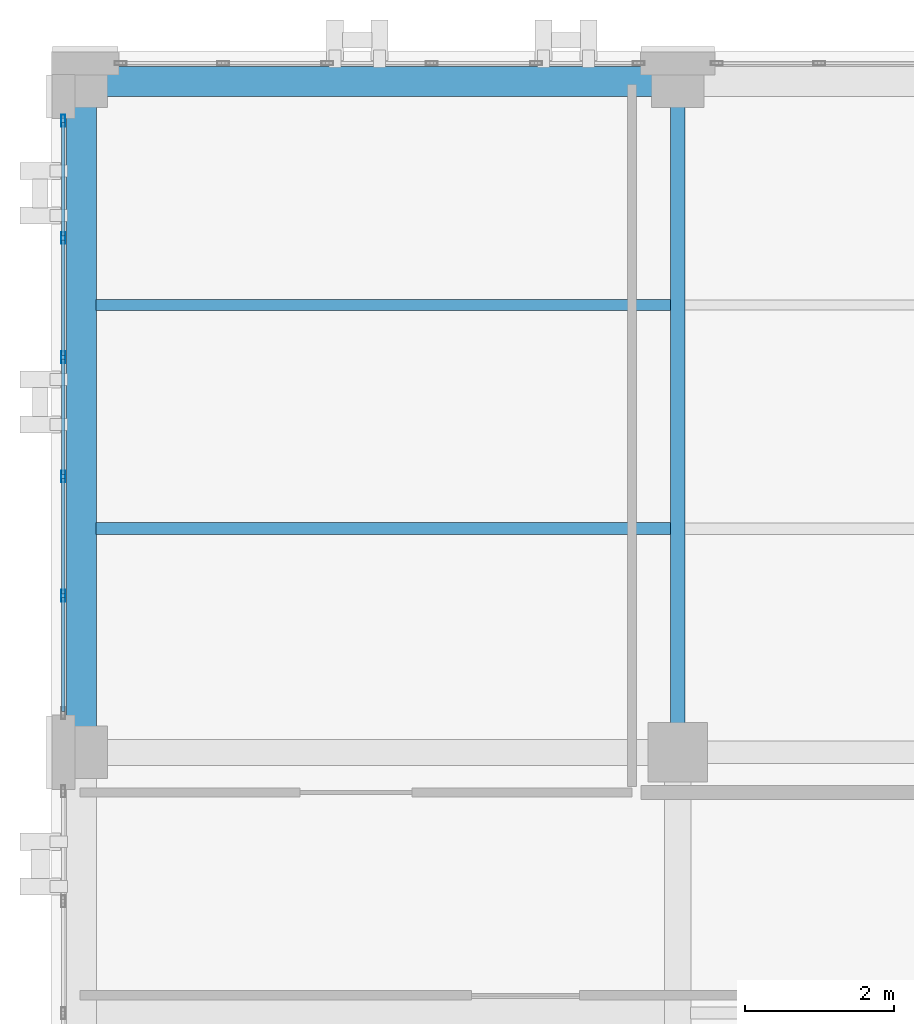
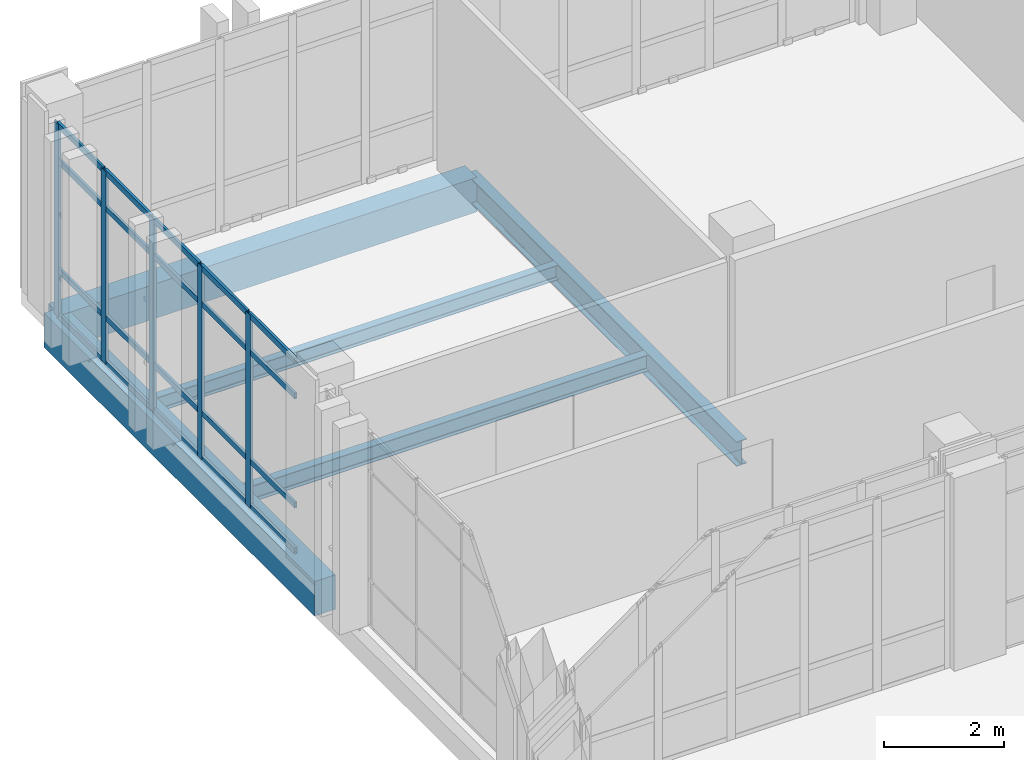
# One storey, part 91 of 193: 25 members, 5 beams, 1 element without a shape of its own.
"""IFC4 building model written with IfcOpenShell, lengths in metres."""

import ifcopenshell
import ifcopenshell.guid

model = None  # the IFC model being written
_history = None  # IfcOwnerHistory: only IFC2X3 demands one
_inside = {}  # id of a spatial element -> (the spatial element, [elements in it])
_under = {}  # id of a project, library or spatial element -> (it, [spatial elements below it])
_declared = {}  # id of a project -> (the project, [libraries it declares])
_typed = {}  # id of a type object -> (the type object, [elements of that type])
_made_of = {}  # id of a material, layer set ... -> (it, [elements and type objects made of it])


def new_model(schema):
    """Start an empty IFC model of exactly this schema.

    Asked for "IFC4X3", IfcOpenShell would pick the latest addendum, in which some entities
    have other attributes; the version numbers below select the first issue.
    IFC2X3 requires an IfcOwnerHistory on every rooted entity: one is made here for all.
    """
    global model, _history
    if schema == "IFC4X3":
        model = ifcopenshell.file(schema_version=(4, 3, 0, 0))
    else:
        model = ifcopenshell.file(schema=schema)
    _inside.clear()
    _under.clear()
    _declared.clear()
    _typed.clear()
    _made_of.clear()
    _history = None
    if model.schema == "IFC2X3":
        org = make("IfcOrganization", Name="unknown")
        user = make(
            "IfcPersonAndOrganization",
            ThePerson=make("IfcPerson", FamilyName="unknown"),
            TheOrganization=org,
        )
        app = make(
            "IfcApplication",
            ApplicationDeveloper=org,
            Version="unknown",
            ApplicationFullName="unknown",
            ApplicationIdentifier="unknown",
        )
        _history = make(
            "IfcOwnerHistory",
            OwningUser=user,
            OwningApplication=app,
            ChangeAction="ADDED",
            CreationDate=0,
        )
    return model


def make(cls, **values):
    """One entity of the class cls with the attributes given. An attribute that is None is left unset."""
    return model.create_entity(
        cls, **{name: value for name, value in values.items() if value is not None}
    )


def rooted(cls, **values):
    """An entity with a GlobalId (a new one), such as an element, a storey or a relation."""
    return make(cls, GlobalId=ifcopenshell.guid.new(), OwnerHistory=_history, **values)


def si_unit(unit_type, name, prefix=None):
    """IfcSIUnit, for example si_unit("LENGTHUNIT", "METRE", prefix="MILLI")."""
    return make("IfcSIUnit", UnitType=unit_type, Prefix=prefix, Name=name)


def assignment(units):
    """IfcUnitAssignment: the units of a project."""
    return None if units is None else make("IfcUnitAssignment", Units=units)


def point(xyz):
    """IfcCartesianPoint."""
    return None if xyz is None else make("IfcCartesianPoint", Coordinates=xyz)


def direction(xyz):
    """IfcDirection."""
    return None if xyz is None else make("IfcDirection", DirectionRatios=xyz)


def frame(location, z_axis=None, x_axis=None):
    """IfcAxis2Placement3D, a coordinate frame: its origin and axes. An axis left out is left unset."""
    return make(
        "IfcAxis2Placement3D",
        Location=point(location),
        Axis=direction(z_axis),
        RefDirection=direction(x_axis),
    )


def frame_2d(location, x_axis=None):
    """IfcAxis2Placement2D, a coordinate frame in the plane: its origin and x axis."""
    return make(
        "IfcAxis2Placement2D", Location=point(location), RefDirection=direction(x_axis)
    )


def origin():
    """The frame at (0, 0, 0) with its axes left unset."""
    return frame((0.0, 0.0, 0.0))


def origin_2d():
    """The frame at (0, 0) in the plane with its x axis left unset."""
    return frame_2d((0.0, 0.0))


def place(relative_to, where):
    """IfcLocalPlacement: puts the frame where relative to a parent placement (None: the world)."""
    return make(
        "IfcLocalPlacement", PlacementRelTo=relative_to, RelativePlacement=where
    )


def context(
    kind, dimensions, precision=None, world=None, true_north=None, identifier=None
):
    """IfcGeometricRepresentationContext, for example the 3D "Model" context."""
    return make(
        "IfcGeometricRepresentationContext",
        ContextIdentifier=identifier,
        ContextType=kind,
        CoordinateSpaceDimension=dimensions,
        Precision=precision,
        WorldCoordinateSystem=world,
        TrueNorth=true_north,
    )


def subcontext(parent, identifier, kind, view, scale=None):
    """IfcGeometricRepresentationSubContext, for example "Body" below "Model"."""
    return make(
        "IfcGeometricRepresentationSubContext",
        ContextIdentifier=identifier,
        ContextType=kind,
        ParentContext=parent,
        TargetScale=scale,
        TargetView=view,
    )


def project(units=None, contexts=None):
    """IfcProject with its units and contexts."""
    return rooted(
        "IfcProject",
        Name="project",
        RepresentationContexts=contexts,
        UnitsInContext=assignment(units),
    )


def spatial(cls, under=None, at=None, **own):
    """A site, building, storey or space (cls), placed at a placement, below another one or the project."""
    s = rooted(cls, ObjectPlacement=at, **own)
    if under is not None:
        _under.setdefault(under.id(), (under, []))[1].append(s)
    return s


def profile(cls, at=None, kind="AREA", **sizes):
    """A parametric profile (cls). Its sizes go by their IFC names, for example OverallWidth=200.0."""
    return make(cls, ProfileType=kind, Position=at, **sizes)


def rectangle(**sizes):
    """IfcRectangleProfileDef."""
    return profile("IfcRectangleProfileDef", **sizes)


def hollow_rectangle(**sizes):
    """IfcRectangleHollowProfileDef."""
    return profile("IfcRectangleHollowProfileDef", **sizes)


def i_section(**sizes):
    """IfcIShapeProfileDef."""
    return profile("IfcIShapeProfileDef", **sizes)


def extrude(swept, where, along, depth):
    """IfcExtrudedAreaSolid: the profile swept, set in the frame where, extruded along a direction by depth."""
    return make(
        "IfcExtrudedAreaSolid",
        SweptArea=swept,
        Position=where,
        ExtrudedDirection=direction(along),
        Depth=depth,
    )


def shape(context_of_items, identifier, shape_type, items):
    """IfcShapeRepresentation: the items that make up one representation, for example the "Body"."""
    return make(
        "IfcShapeRepresentation",
        ContextOfItems=context_of_items,
        RepresentationIdentifier=identifier,
        RepresentationType=shape_type,
        Items=items,
    )


def material(Name=None, Category=None):
    """IfcMaterial."""
    return make("IfcMaterial", Name=Name, Category=Category)


def layer(
    of_material, thickness, ventilated=None, Name=None, Category=None, Priority=None
):
    """IfcMaterialLayer: one layer of a wall or slab, of a material (None: an air gap)."""
    return make(
        "IfcMaterialLayer",
        Material=of_material,
        LayerThickness=thickness,
        IsVentilated=ventilated,
        Name=Name,
        Category=Category,
        Priority=Priority,
    )


def layer_set(layers, Name=None):
    """IfcMaterialLayerSet."""
    return make("IfcMaterialLayerSet", MaterialLayers=layers, LayerSetName=Name)


def material_profile(
    of_material, cross_section, Name=None, Category=None, Priority=None
):
    """IfcMaterialProfile: a cross section and its material."""
    return make(
        "IfcMaterialProfile",
        Name=Name,
        Material=of_material,
        Profile=cross_section,
        Priority=Priority,
        Category=Category,
    )


def profile_set(profiles, Name=None, composite=None):
    """IfcMaterialProfileSet."""
    return make(
        "IfcMaterialProfileSet",
        Name=Name,
        MaterialProfiles=profiles,
        CompositeProfile=composite,
    )


def made_of(thing, what):
    """Note that an element or type object is made of a material, layer set ...; save() writes the relation."""
    if what is not None:
        _made_of.setdefault(what.id(), (what, []))[1].append(thing)
    return thing


def type_object(cls, material=None, **own):
    """A type object (cls), such as IfcWallType, which elements share."""
    return made_of(rooted(cls, **own), material)


def element(
    cls,
    number,
    at=None,
    inside=None,
    cuts=None,
    type_object=None,
    material=None,
    context=None,
    identifier="Body",
    shape_type=None,
    held_by="IfcProductDefinitionShape",
    body=None,
    shapes=None,
    **own,
):
    """One element of the class cls, such as IfcWall. Its Tag is "e" and its number.

    at: its placement. inside: the storey or other place that contains it. cuts: it is an
    opening in that element (IfcRelVoidsElement). A single representation is given by context,
    identifier, shape_type and body (its items); several are given by shapes. held_by: the class
    of the entity that holds the representations. save() writes the other relations.
    """
    e = rooted(cls, Tag="e%d" % number, ObjectPlacement=at, **own)
    if body is not None:
        shapes = [shape(context, identifier, shape_type, body)]
    if shapes is not None:
        e.Representation = make(held_by, Representations=shapes)
    if inside is not None:
        _inside.setdefault(inside.id(), (inside, []))[1].append(e)
    if cuts is not None:
        rooted(
            "IfcRelVoidsElement", RelatingBuildingElement=cuts, RelatedOpeningElement=e
        )
    if type_object is not None:
        _typed.setdefault(type_object.id(), (type_object, []))[1].append(e)
    return made_of(e, material)


def aggregate(whole, parts):
    """IfcRelAggregates: a whole, such as a stair, and the parts it consists of."""
    return rooted("IfcRelAggregates", RelatingObject=whole, RelatedObjects=parts)


def save(model, path):
    """Write the relations noted so far, then the file.

    IfcRelAggregates (storeys below a building ...), IfcRelContainedInSpatialStructure (elements
    in a storey), IfcRelDefinesByType, IfcRelAssociatesMaterial and IfcRelDeclares: one each for
    every whole, place, type object, material and project.
    """
    for whole, parts in _under.values():
        aggregate(whole, parts)
    for where, things in _inside.values():
        rooted(
            "IfcRelContainedInSpatialStructure",
            RelatedElements=things,
            RelatingStructure=where,
        )
    for kind, things in _typed.values():
        rooted("IfcRelDefinesByType", RelatedObjects=things, RelatingType=kind)
    for what, things in _made_of.values():
        rooted("IfcRelAssociatesMaterial", RelatedObjects=things, RelatingMaterial=what)
    for by, libraries in _declared.values():
        rooted("IfcRelDeclares", RelatingContext=by, RelatedDefinitions=libraries)
    model.write(path)


model = new_model("IFC4")

# Units and contexts
model_context = context("Model", 3, precision=1e-05, world=origin(), true_north=direction((0.0, 1.0)))
body_context = subcontext(model_context, "Body", "Model", "MODEL_VIEW")
ifc_project = project(units=[si_unit("LENGTHUNIT", "METRE"), si_unit("AREAUNIT", "SQUARE_METRE"), si_unit("VOLUMEUNIT", "CUBIC_METRE"), si_unit("PLANEANGLEUNIT", "RADIAN"), si_unit("MASSUNIT", "GRAM", prefix="KILO")], contexts=[model_context])

# Site, building, storey
site_placement = place(None, origin())
site = spatial("IfcSite", under=ifc_project, at=site_placement, CompositionType="ELEMENT")
building_placement = place(site_placement, origin())
building = spatial("IfcBuilding", under=site, at=building_placement, Name="Qalavern Law Courts", CompositionType="ELEMENT")
storey_placement = place(building_placement, frame((0.0, 0.0, 10.199951171875)))
storey = spatial("IfcBuildingStorey", under=building, at=storey_placement, Name="L02", CompositionType="ELEMENT", Elevation=10.199951171875)

# Curtain wall, members
ifc_material_1 = material(Name="Anodised aluminium and insulated glazing", Category="aluminium")
ifc_layer = layer(ifc_material_1, 0.166015625)
ifc_layer_set = layer_set([ifc_layer], Name="Anodised aluminium and insulated glazing")
curtain_wall_type = type_object("IfcCurtainWallType", Name="ENV-CW-LIB", PredefinedType="USERDEFINED", material=ifc_layer_set)
curtain_wall_placement = place(storey_placement, origin())
curtain_wall = element("IfcCurtainWall", 1, at=curtain_wall_placement, inside=storey, type_object=curtain_wall_type, Name="V5 unitised curtain wall L02 west 1", ObjectType="UNITISED CURTAIN WALL", PredefinedType="USERDEFINED")
ifc_material_2 = material(Name="Anodised aluminium", Category="aluminium")
ifc_material_profile_1 = material_profile(ifc_material_2, hollow_rectangle(XDim=0.048095703125, YDim=0.159912109375, WallThickness=0.00390625, at=origin_2d()), Name="ALU MULLION 48x160")
ifc_profile_set_1 = profile_set([ifc_material_profile_1], Name="Anodised aluminium")
member_type_1 = type_object("IfcMemberType", Name="ENV-CWM-48x160", PredefinedType="MULLION", material=ifc_profile_set_1)
member_1_placement = place(storey_placement, frame((2.155029296875, 112.075927734375, 0.0), z_axis=(0.0, 0.0, 1.0), x_axis=(1.0, 0.0, 0.0)))
member_1 = element("IfcMember", 2, at=member_1_placement, type_object=member_type_1, Name="CW-05 mullion 1", PredefinedType="MULLION", context=body_context, shape_type="SweptSolid", body=[
    extrude(hollow_rectangle(XDim=0.048095703125, YDim=0.159912109375, WallThickness=0.00390625, at=origin_2d()), origin(), (0.0, 0.0, 1.0), 3.9150390625),
])
member_2_placement = place(storey_placement, frame((2.155029296875, 110.5, 0.0), z_axis=(0.0, 0.0, 1.0), x_axis=(1.0, 0.0, 0.0)))
member_2 = element("IfcMember", 3, at=member_2_placement, type_object=member_type_1, Name="CW-05 mullion 2", PredefinedType="MULLION", context=body_context, shape_type="SweptSolid", body=[
    extrude(hollow_rectangle(XDim=0.048095703125, YDim=0.159912109375, WallThickness=0.00390625, at=origin_2d()), origin(), (0.0, 0.0, 1.0), 3.9150390625),
])
member_3_placement = place(storey_placement, frame((2.155029296875, 108.89990234375, 0.0), z_axis=(0.0, 0.0, 1.0), x_axis=(1.0, 0.0, 0.0)))
member_3 = element("IfcMember", 4, at=member_3_placement, type_object=member_type_1, Name="CW-05 mullion 3", PredefinedType="MULLION", context=body_context, shape_type="SweptSolid", body=[
    extrude(hollow_rectangle(XDim=0.048095703125, YDim=0.159912109375, WallThickness=0.00390625, at=origin_2d()), origin(), (0.0, 0.0, 1.0), 3.9150390625),
])
member_4_placement = place(storey_placement, frame((2.155029296875, 107.300048828125, 0.0), z_axis=(0.0, 0.0, 1.0), x_axis=(1.0, 0.0, 0.0)))
member_4 = element("IfcMember", 5, at=member_4_placement, type_object=member_type_1, Name="CW-05 mullion 4", PredefinedType="MULLION", context=body_context, shape_type="SweptSolid", body=[
    extrude(hollow_rectangle(XDim=0.048095703125, YDim=0.159912109375, WallThickness=0.00390625, at=origin_2d()), origin(), (0.0, 0.0, 1.0), 3.9150390625),
])
member_5_placement = place(storey_placement, frame((2.155029296875, 105.699951171875, 0.0), z_axis=(0.0, 0.0, 1.0), x_axis=(1.0, 0.0, 0.0)))
member_5 = element("IfcMember", 6, at=member_5_placement, type_object=member_type_1, Name="CW-05 mullion 5", PredefinedType="MULLION", context=body_context, shape_type="SweptSolid", body=[
    extrude(hollow_rectangle(XDim=0.048095703125, YDim=0.159912109375, WallThickness=0.00390625, at=origin_2d()), origin(), (0.0, 0.0, 1.0), 3.9150390625),
])
ifc_material_profile_2 = material_profile(ifc_material_2, hollow_rectangle(XDim=0.048095703125, YDim=0.1201171875, WallThickness=0.00390625, at=origin_2d()), Name="ALU TRANSOM 48x120")
ifc_profile_set_2 = profile_set([ifc_material_profile_2], Name="Anodised aluminium")
member_type_2 = type_object("IfcMemberType", Name="ENV-CWT-48x120", PredefinedType="USERDEFINED", material=ifc_profile_set_2)
member_6_placement = place(storey_placement, frame((2.155029296875, 112.052001953125, 0.024169921875), z_axis=(0.0, -1.0, 0.0), x_axis=(1.0, 0.0, 0.0)))
member_6 = element("IfcMember", 7, at=member_6_placement, type_object=member_type_2, Name="CW-05 transom 1.1", ObjectType="TRANSOM", PredefinedType="USERDEFINED", context=body_context, shape_type="SweptSolid", body=[
    extrude(hollow_rectangle(XDim=0.048095703125, YDim=0.1201171875, WallThickness=0.00390625, at=origin_2d()), origin(), (0.0, 0.0, 1.0), 1.528076171875),
])
member_7_placement = place(storey_placement, frame((2.155029296875, 112.052001953125, 0.949951171875), z_axis=(0.0, -1.0, 0.0), x_axis=(1.0, 0.0, 0.0)))
member_7 = element("IfcMember", 8, at=member_7_placement, type_object=member_type_2, Name="CW-05 transom 1.2", ObjectType="TRANSOM", PredefinedType="USERDEFINED", context=body_context, shape_type="SweptSolid", body=[
    extrude(hollow_rectangle(XDim=0.048095703125, YDim=0.1201171875, WallThickness=0.00390625, at=origin_2d()), origin(), (0.0, 0.0, 1.0), 1.528076171875),
])
member_8_placement = place(storey_placement, frame((2.155029296875, 112.052001953125, 3.1650390625), z_axis=(0.0, -1.0, 0.0), x_axis=(1.0, 0.0, 0.0)))
member_8 = element("IfcMember", 9, at=member_8_placement, type_object=member_type_2, Name="CW-05 transom 1.3", ObjectType="TRANSOM", PredefinedType="USERDEFINED", context=body_context, shape_type="SweptSolid", body=[
    extrude(hollow_rectangle(XDim=0.048095703125, YDim=0.1201171875, WallThickness=0.00390625, at=origin_2d()), origin(), (0.0, 0.0, 1.0), 1.528076171875),
])
member_9_placement = place(storey_placement, frame((2.155029296875, 112.052001953125, 3.89111328125), z_axis=(0.0, -1.0, 0.0), x_axis=(1.0, 0.0, 0.0)))
member_9 = element("IfcMember", 10, at=member_9_placement, type_object=member_type_2, Name="CW-05 transom 1.4", ObjectType="TRANSOM", PredefinedType="USERDEFINED", context=body_context, shape_type="SweptSolid", body=[
    extrude(hollow_rectangle(XDim=0.048095703125, YDim=0.1201171875, WallThickness=0.00390625, at=origin_2d()), origin(), (0.0, 0.0, 1.0), 1.528076171875),
])
member_10_placement = place(storey_placement, frame((2.155029296875, 110.47607421875, 0.024169921875), z_axis=(0.0, -1.0, 0.0), x_axis=(1.0, 0.0, 0.0)))
member_10 = element("IfcMember", 11, at=member_10_placement, type_object=member_type_2, Name="CW-05 transom 2.1", ObjectType="TRANSOM", PredefinedType="USERDEFINED", context=body_context, shape_type="SweptSolid", body=[
    extrude(hollow_rectangle(XDim=0.048095703125, YDim=0.1201171875, WallThickness=0.00390625, at=origin_2d()), origin(), (0.0, 0.0, 1.0), 1.552001953125),
])
member_11_placement = place(storey_placement, frame((2.155029296875, 110.47607421875, 0.949951171875), z_axis=(0.0, -1.0, 0.0), x_axis=(1.0, 0.0, 0.0)))
member_11 = element("IfcMember", 12, at=member_11_placement, type_object=member_type_2, Name="CW-05 transom 2.2", ObjectType="TRANSOM", PredefinedType="USERDEFINED", context=body_context, shape_type="SweptSolid", body=[
    extrude(hollow_rectangle(XDim=0.048095703125, YDim=0.1201171875, WallThickness=0.00390625, at=origin_2d()), origin(), (0.0, 0.0, 1.0), 1.552001953125),
])
member_12_placement = place(storey_placement, frame((2.155029296875, 110.47607421875, 3.1650390625), z_axis=(0.0, -1.0, 0.0), x_axis=(1.0, 0.0, 0.0)))
member_12 = element("IfcMember", 13, at=member_12_placement, type_object=member_type_2, Name="CW-05 transom 2.3", ObjectType="TRANSOM", PredefinedType="USERDEFINED", context=body_context, shape_type="SweptSolid", body=[
    extrude(hollow_rectangle(XDim=0.048095703125, YDim=0.1201171875, WallThickness=0.00390625, at=origin_2d()), origin(), (0.0, 0.0, 1.0), 1.552001953125),
])
member_13_placement = place(storey_placement, frame((2.155029296875, 110.47607421875, 3.89111328125), z_axis=(0.0, -1.0, 0.0), x_axis=(1.0, 0.0, 0.0)))
member_13 = element("IfcMember", 14, at=member_13_placement, type_object=member_type_2, Name="CW-05 transom 2.4", ObjectType="TRANSOM", PredefinedType="USERDEFINED", context=body_context, shape_type="SweptSolid", body=[
    extrude(hollow_rectangle(XDim=0.048095703125, YDim=0.1201171875, WallThickness=0.00390625, at=origin_2d()), origin(), (0.0, 0.0, 1.0), 1.552001953125),
])
member_14_placement = place(storey_placement, frame((2.155029296875, 108.8759765625, 0.024169921875), z_axis=(0.0, -1.0, 0.0), x_axis=(1.0, 0.0, 0.0)))
member_14 = element("IfcMember", 15, at=member_14_placement, type_object=member_type_2, Name="CW-05 transom 3.1", ObjectType="TRANSOM", PredefinedType="USERDEFINED", context=body_context, shape_type="SweptSolid", body=[
    extrude(hollow_rectangle(XDim=0.048095703125, YDim=0.1201171875, WallThickness=0.00390625, at=origin_2d()), origin(), (0.0, 0.0, 1.0), 1.552001953125),
])
member_15_placement = place(storey_placement, frame((2.155029296875, 108.8759765625, 0.949951171875), z_axis=(0.0, -1.0, 0.0), x_axis=(1.0, 0.0, 0.0)))
member_15 = element("IfcMember", 16, at=member_15_placement, type_object=member_type_2, Name="CW-05 transom 3.2", ObjectType="TRANSOM", PredefinedType="USERDEFINED", context=body_context, shape_type="SweptSolid", body=[
    extrude(hollow_rectangle(XDim=0.048095703125, YDim=0.1201171875, WallThickness=0.00390625, at=origin_2d()), origin(), (0.0, 0.0, 1.0), 1.552001953125),
])
member_16_placement = place(storey_placement, frame((2.155029296875, 108.8759765625, 3.1650390625), z_axis=(0.0, -1.0, 0.0), x_axis=(1.0, 0.0, 0.0)))
member_16 = element("IfcMember", 17, at=member_16_placement, type_object=member_type_2, Name="CW-05 transom 3.3", ObjectType="TRANSOM", PredefinedType="USERDEFINED", context=body_context, shape_type="SweptSolid", body=[
    extrude(hollow_rectangle(XDim=0.048095703125, YDim=0.1201171875, WallThickness=0.00390625, at=origin_2d()), origin(), (0.0, 0.0, 1.0), 1.552001953125),
])
member_17_placement = place(storey_placement, frame((2.155029296875, 108.8759765625, 3.89111328125), z_axis=(0.0, -1.0, 0.0), x_axis=(1.0, 0.0, 0.0)))
member_17 = element("IfcMember", 18, at=member_17_placement, type_object=member_type_2, Name="CW-05 transom 3.4", ObjectType="TRANSOM", PredefinedType="USERDEFINED", context=body_context, shape_type="SweptSolid", body=[
    extrude(hollow_rectangle(XDim=0.048095703125, YDim=0.1201171875, WallThickness=0.00390625, at=origin_2d()), origin(), (0.0, 0.0, 1.0), 1.552001953125),
])
member_18_placement = place(storey_placement, frame((2.155029296875, 107.27587890625, 0.024169921875), z_axis=(0.0, -1.0, 0.0), x_axis=(1.0, 0.0, 0.0)))
member_18 = element("IfcMember", 19, at=member_18_placement, type_object=member_type_2, Name="CW-05 transom 4.1", ObjectType="TRANSOM", PredefinedType="USERDEFINED", context=body_context, shape_type="SweptSolid", body=[
    extrude(hollow_rectangle(XDim=0.048095703125, YDim=0.1201171875, WallThickness=0.00390625, at=origin_2d()), origin(), (0.0, 0.0, 1.0), 1.5517578125),
])
member_19_placement = place(storey_placement, frame((2.155029296875, 107.27587890625, 0.949951171875), z_axis=(0.0, -1.0, 0.0), x_axis=(1.0, 0.0, 0.0)))
member_19 = element("IfcMember", 20, at=member_19_placement, type_object=member_type_2, Name="CW-05 transom 4.2", ObjectType="TRANSOM", PredefinedType="USERDEFINED", context=body_context, shape_type="SweptSolid", body=[
    extrude(hollow_rectangle(XDim=0.048095703125, YDim=0.1201171875, WallThickness=0.00390625, at=origin_2d()), origin(), (0.0, 0.0, 1.0), 1.5517578125),
])
member_20_placement = place(storey_placement, frame((2.155029296875, 107.27587890625, 3.1650390625), z_axis=(0.0, -1.0, 0.0), x_axis=(1.0, 0.0, 0.0)))
member_20 = element("IfcMember", 21, at=member_20_placement, type_object=member_type_2, Name="CW-05 transom 4.3", ObjectType="TRANSOM", PredefinedType="USERDEFINED", context=body_context, shape_type="SweptSolid", body=[
    extrude(hollow_rectangle(XDim=0.048095703125, YDim=0.1201171875, WallThickness=0.00390625, at=origin_2d()), origin(), (0.0, 0.0, 1.0), 1.5517578125),
])
member_21_placement = place(storey_placement, frame((2.155029296875, 107.27587890625, 3.89111328125), z_axis=(0.0, -1.0, 0.0), x_axis=(1.0, 0.0, 0.0)))
member_21 = element("IfcMember", 22, at=member_21_placement, type_object=member_type_2, Name="CW-05 transom 4.4", ObjectType="TRANSOM", PredefinedType="USERDEFINED", context=body_context, shape_type="SweptSolid", body=[
    extrude(hollow_rectangle(XDim=0.048095703125, YDim=0.1201171875, WallThickness=0.00390625, at=origin_2d()), origin(), (0.0, 0.0, 1.0), 1.5517578125),
])
member_22_placement = place(storey_placement, frame((2.155029296875, 105.676025390625, 0.024169921875), z_axis=(0.0, -1.0, 0.0), x_axis=(1.0, 0.0, 0.0)))
member_22 = element("IfcMember", 23, at=member_22_placement, type_object=member_type_2, Name="CW-05 transom 5.1", ObjectType="TRANSOM", PredefinedType="USERDEFINED", context=body_context, shape_type="SweptSolid", body=[
    extrude(hollow_rectangle(XDim=0.048095703125, YDim=0.1201171875, WallThickness=0.00390625, at=origin_2d()), origin(), (0.0, 0.0, 1.0), 1.528076171875),
])
member_23_placement = place(storey_placement, frame((2.155029296875, 105.676025390625, 0.949951171875), z_axis=(0.0, -1.0, 0.0), x_axis=(1.0, 0.0, 0.0)))
member_23 = element("IfcMember", 24, at=member_23_placement, type_object=member_type_2, Name="CW-05 transom 5.2", ObjectType="TRANSOM", PredefinedType="USERDEFINED", context=body_context, shape_type="SweptSolid", body=[
    extrude(hollow_rectangle(XDim=0.048095703125, YDim=0.1201171875, WallThickness=0.00390625, at=origin_2d()), origin(), (0.0, 0.0, 1.0), 1.528076171875),
])
member_24_placement = place(storey_placement, frame((2.155029296875, 105.676025390625, 3.1650390625), z_axis=(0.0, -1.0, 0.0), x_axis=(1.0, 0.0, 0.0)))
member_24 = element("IfcMember", 25, at=member_24_placement, type_object=member_type_2, Name="CW-05 transom 5.3", ObjectType="TRANSOM", PredefinedType="USERDEFINED", context=body_context, shape_type="SweptSolid", body=[
    extrude(hollow_rectangle(XDim=0.048095703125, YDim=0.1201171875, WallThickness=0.00390625, at=origin_2d()), origin(), (0.0, 0.0, 1.0), 1.528076171875),
])
member_25_placement = place(storey_placement, frame((2.155029296875, 105.676025390625, 3.89111328125), z_axis=(0.0, -1.0, 0.0), x_axis=(1.0, 0.0, 0.0)))
member_25 = element("IfcMember", 26, at=member_25_placement, type_object=member_type_2, Name="CW-05 transom 5.4", ObjectType="TRANSOM", PredefinedType="USERDEFINED", context=body_context, shape_type="SweptSolid", body=[
    extrude(hollow_rectangle(XDim=0.048095703125, YDim=0.1201171875, WallThickness=0.00390625, at=origin_2d()), origin(), (0.0, 0.0, 1.0), 1.528076171875),
])
aggregate(curtain_wall, [member_1, member_2, member_3, member_4, member_5, member_6, member_7, member_8, member_9, member_10, member_11, member_12, member_13, member_14, member_15, member_16, member_17, member_18, member_19, member_20, member_21, member_22, member_23, member_24, member_25])

# Beams
ifc_material_3 = material(Name="Steel S355", Category="steel")
ifc_material_profile_3 = material_profile(ifc_material_3, i_section(OverallWidth=0.199951171875, OverallDepth=0.5, WebThickness=0.01025390625, FlangeThickness=0.01611328125, FilletRadius=0.02099609375, at=origin_2d()), Name="IPE 500")
ifc_profile_set_3 = profile_set([ifc_material_profile_3], Name="Steel S355")
beam_type_1 = type_object("IfcBeamType", Name="STR-BM-IPE500", PredefinedType="BEAM", material=ifc_profile_set_3)
beam_1_placement = place(storey_placement, frame((10.39990234375, 103.60009765625, -0.5400390625), z_axis=(0.0, 1.0, 0.0), x_axis=(-1.0, 0.0, 0.0)))
element("IfcBeam", 27, at=beam_1_placement, inside=storey, type_object=beam_type_1, Name="V5 Y-beam 2-2 L02", PredefinedType="BEAM", context=body_context, shape_type="SweptSolid", body=[
    extrude(i_section(OverallWidth=0.199951171875, OverallDepth=0.5, WebThickness=0.01025390625, FlangeThickness=0.01611328125, FilletRadius=0.02099609375, at=origin_2d()), origin(), (0.0, 0.0, 1.0), 9.0),
])
ifc_material_profile_4 = material_profile(ifc_material_3, i_section(OverallWidth=0.14990234375, OverallDepth=0.300048828125, WebThickness=0.007080078125, FlangeThickness=0.0107421875, FilletRadius=0.014892578125, at=origin_2d()), Name="IPE 300")
ifc_profile_set_4 = profile_set([ifc_material_profile_4], Name="Steel S355")
beam_type_2 = type_object("IfcBeamType", Name="STR-JST-IPE300", PredefinedType="JOIST", material=ifc_profile_set_4)
beam_2_placement = place(storey_placement, frame((2.597900390625, 109.60009765625, -0.43994140625), z_axis=(1.0, 0.0, 0.0), x_axis=(0.0, 1.0, 0.0)))
element("IfcBeam", 28, at=beam_2_placement, inside=storey, type_object=beam_type_2, Name="V5 secondary joist 1.2.2 L02", PredefinedType="JOIST", context=body_context, shape_type="SweptSolid", body=[
    extrude(i_section(OverallWidth=0.14990234375, OverallDepth=0.300048828125, WebThickness=0.007080078125, FlangeThickness=0.0107421875, FilletRadius=0.014892578125, at=origin_2d()), origin(), (0.0, 0.0, 1.0), 7.7041015625),
])
ifc_material_profile_5 = material_profile(ifc_material_3, i_section(OverallWidth=0.159912109375, OverallDepth=0.330078125, WebThickness=0.007568359375, FlangeThickness=0.011474609375, FilletRadius=0.01806640625, at=origin_2d()), Name="IPE 330")
ifc_profile_set_5 = profile_set([ifc_material_profile_5], Name="Steel S355")
beam_type_3 = type_object("IfcBeamType", Name="STR-JST-IPE330", PredefinedType="JOIST", material=ifc_profile_set_5)
beam_3_placement = place(storey_placement, frame((2.597900390625, 106.60009765625, -0.454833984375), z_axis=(1.0, 0.0, 0.0), x_axis=(0.0, 1.0, 0.0)))
element("IfcBeam", 29, at=beam_3_placement, inside=storey, type_object=beam_type_3, Name="V5 secondary joist 1.2.1 L02", PredefinedType="JOIST", context=body_context, shape_type="SweptSolid", body=[
    extrude(i_section(OverallWidth=0.159912109375, OverallDepth=0.330078125, WebThickness=0.007568359375, FlangeThickness=0.011474609375, FilletRadius=0.01806640625, at=origin_2d()), origin(), (0.0, 0.0, 1.0), 7.7041015625),
])
ifc_material_4 = material(Name="Concrete C40/50", Category="concrete")
ifc_material_profile_6 = material_profile(ifc_material_4, rectangle(XDim=0.39990234375, YDim=0.699951171875, at=origin_2d()), Name="RC 400x700")
ifc_profile_set_6 = profile_set([ifc_material_profile_6], Name="Concrete C40/50")
beam_type_4 = type_object("IfcBeamType", Name="STR-SP-RC400x700", PredefinedType="SPANDREL", material=ifc_profile_set_6)
beam_4_placement = place(storey_placement, frame((2.39990234375, 112.60009765625, -0.639892578125), z_axis=(1.0, 0.0, 0.0), x_axis=(0.0, 1.0, 0.0)))
element("IfcBeam", 30, at=beam_4_placement, inside=storey, type_object=beam_type_4, Name="V5 X-beam 3-1 L02", PredefinedType="SPANDREL", context=body_context, shape_type="SweptSolid", body=[
    extrude(rectangle(XDim=0.39990234375, YDim=0.699951171875, at=origin_2d()), origin(), (0.0, 0.0, 1.0), 8.0),
])
beam_5_placement = place(storey_placement, frame((2.39990234375, 103.60009765625, -0.639892578125), z_axis=(0.0, 1.0, 0.0), x_axis=(-1.0, 0.0, 0.0)))
element("IfcBeam", 31, at=beam_5_placement, inside=storey, type_object=beam_type_4, Name="V5 Y-beam 1-2 L02", PredefinedType="SPANDREL", context=body_context, shape_type="SweptSolid", body=[
    extrude(rectangle(XDim=0.39990234375, YDim=0.699951171875, at=origin_2d()), origin(), (0.0, 0.0, 1.0), 9.0),
])

save(model, "model.ifc")
